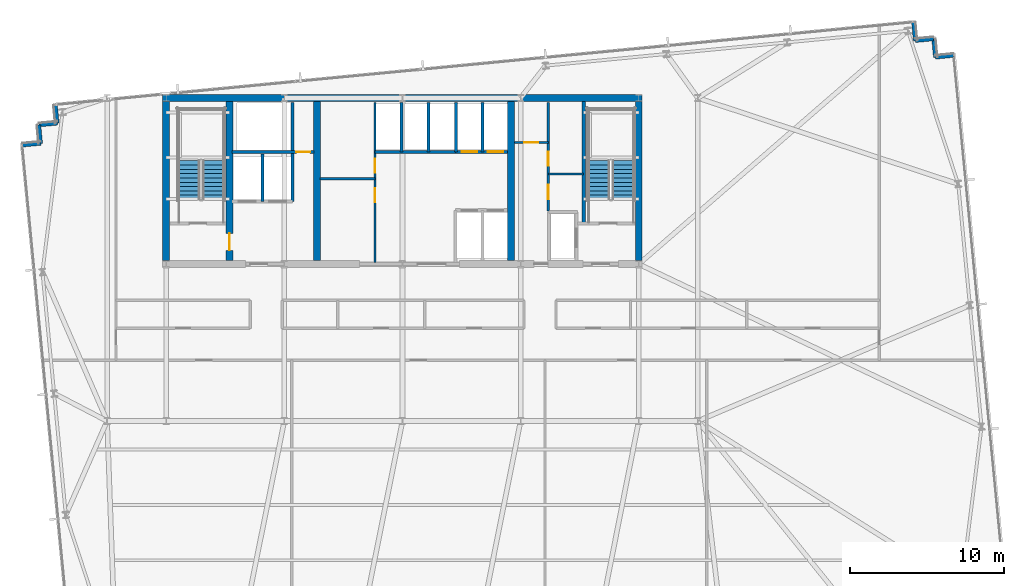
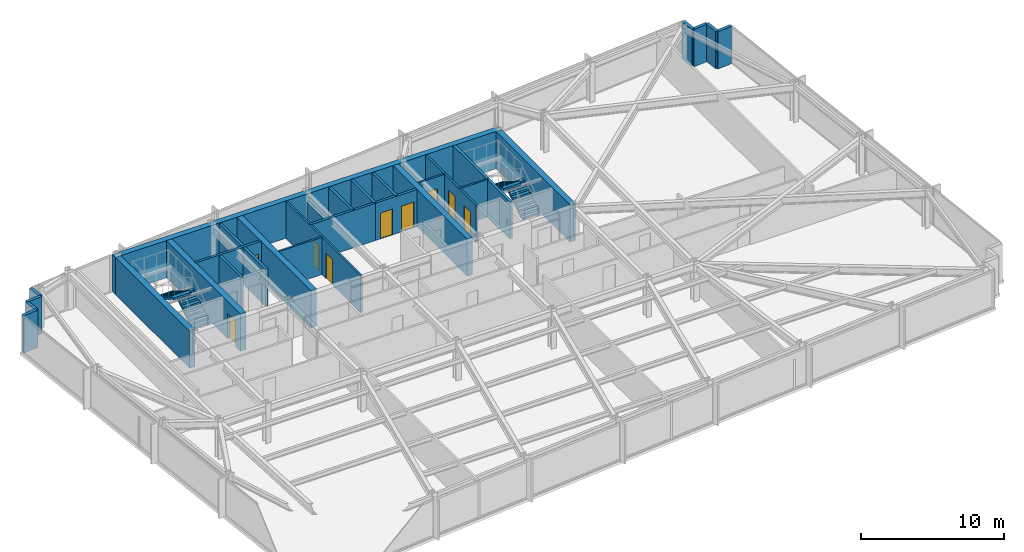
# One storey, part 26 of 32: 29 walls, 9 doors, 4 stair flights, 9 openings, 2 elements without a shape of their own.
"""IFC4 building model written with IfcOpenShell, lengths in metres."""

from ifc_helpers import new_model, si_unit, direction, frame, frame_2d, origin, place, context, subcontext, project, spatial, polyline, rectangle, outline, extrude, material, layer, layer_set, type_object, element, fill, aggregate, save


model = new_model("IFC4")

# Units and contexts
model_context = context("Model", 3, precision=1e-05, world=origin(), true_north=direction((0.0, 1.0)))
body_context = subcontext(model_context, "Body", "Model", "MODEL_VIEW")
ifc_project = project(units=[si_unit("LENGTHUNIT", "METRE"), si_unit("AREAUNIT", "SQUARE_METRE"), si_unit("VOLUMEUNIT", "CUBIC_METRE"), si_unit("PLANEANGLEUNIT", "RADIAN"), si_unit("MASSUNIT", "GRAM", prefix="KILO")], contexts=[model_context])

# Site, building, storey
site_placement = place(None, origin())
site = spatial("IfcSite", under=ifc_project, at=site_placement, CompositionType="ELEMENT")
building_placement = place(site_placement, origin())
building = spatial("IfcBuilding", under=site, at=building_placement, Name="Yelkora Congress Tower", CompositionType="ELEMENT")
storey_placement = place(building_placement, frame((0.0, 0.0, 120.300048828125)))
storey = spatial("IfcBuildingStorey", under=building, at=storey_placement, Name="L32", CompositionType="ELEMENT", Elevation=120.300048828125)

# Walls
ifc_material_1 = material(Name="Concrete C50/60", Category="concrete")
ifc_layer_1 = layer(ifc_material_1, 0.219970703125)
ifc_layer_set_1 = layer_set([ifc_layer_1], Name="Concrete C50/60")
wall_type_1 = type_object("IfcWallType", Name="WALL-CORE-INT-220", PredefinedType="SHEAR", material=ifc_layer_set_1)
wall_1_placement = place(storey_placement, frame((50.179931640625, 38.050048828125, 0.0), z_axis=(0.0, 0.0, 1.0), x_axis=(0.0, 1.0, 0.0)))
element("IfcWall", 1, at=wall_1_placement, inside=storey, type_object=wall_type_1, Name="L32 ST02 West Stair Shear Wall", PredefinedType="SHEAR", context=body_context, shape_type="SweptSolid", body=[
    extrude(rectangle(XDim=7.925048828125, YDim=0.219970703125, at=frame_2d((3.96240234375, 0.0))), origin(), (0.0, 0.0, 1.0), 3.179931640625),
])
ifc_material_2 = material(Name="Concrete C60/75", Category="concrete")
ifc_layer_2 = layer(ifc_material_2, 0.449951171875)
ifc_layer_set_2 = layer_set([ifc_layer_2], Name="Concrete C60/75")
wall_type_2 = type_object("IfcWallType", Name="WALL-CORE-INT-450", PredefinedType="SHEAR", material=ifc_layer_set_2)
wall_2_placement = place(storey_placement, frame((22.81494140625, 46.199951171875, 0.0), z_axis=(0.0, 0.0, 1.0), x_axis=(1.0, 0.0, 0.0)))
element("IfcWall", 2, at=wall_2_placement, inside=storey, type_object=wall_type_2, Name="L32 Rear Core North Shear Wall", PredefinedType="SHEAR", context=body_context, shape_type="SweptSolid", body=[
    extrude(rectangle(XDim=31.170166015625, YDim=0.449951171875, at=frame_2d((15.5849609375, 0.0))), origin(), (0.0, 0.0, 1.0), 3.179931640625),
])
wall_3_placement = place(storey_placement, frame((23.0400390625, 35.625, 0.0), z_axis=(0.0, 0.0, 1.0), x_axis=(0.0, 1.0, 0.0)))
element("IfcWall", 3, at=wall_3_placement, inside=storey, type_object=wall_type_2, Name="L32 Rear Core Cross Shear Wall W", PredefinedType="SHEAR", context=body_context, shape_type="SweptSolid", body=[
    extrude(rectangle(XDim=10.35009765625, YDim=0.449951171875, at=frame_2d((5.175048828125, 0.0))), origin(), (0.0, 0.0, 1.0), 3.179931640625),
])

# Wall, opening, door
wall_4_placement = place(storey_placement, frame((27.14990234375, 35.625, 0.0), z_axis=(0.0, 0.0, 1.0), x_axis=(0.0, 1.0, 0.0)))
wall_4 = element("IfcWall", 4, at=wall_4_placement, inside=storey, type_object=wall_type_2, Name="L32 Rear Core Cross Shear Wall C1", PredefinedType="SHEAR", context=body_context, shape_type="SweptSolid", body=[
    extrude(rectangle(XDim=10.35009765625, YDim=0.449951171875, at=frame_2d((5.175048828125, 0.0))), origin(), (0.0, 0.0, 1.0), 3.179931640625),
])
opening_1_placement = place(wall_4_placement, frame((0.675048828125, 0.0, 0.0)))
opening_1 = element("IfcOpeningElement", 5, at=opening_1_placement, cuts=wall_4, Name="Opening DR-110F9", PredefinedType="OPENING", context=body_context, shape_type="SweptSolid", body=[
    extrude(rectangle(XDim=1.10009765625, YDim=2.14990234375, at=frame_2d((0.550048828125, 1.074951171875))), frame((0.0, 0.23486328125, 0.0), z_axis=(0.0, -1.0, 0.0), x_axis=(1.0, 0.0, 0.0)), (0.0, 0.0, 1.0), 0.469970703125),
])
ifc_material_3 = material(Name="Galvanised steel fire door leaf", Category="steel")
door_type_1 = type_object("IfcDoorType", Name="DOOR-FD90-1100", OperationType="NOTDEFINED", PredefinedType="DOOR", material=ifc_material_3)
door_1_placement = place(opening_1_placement, origin())
door_1 = element("IfcDoor", 6, at=door_1_placement, inside=storey, type_object=door_type_1, Name="L32 Firefighting Stair Transfer Door", OperationType="SINGLE_SWING_LEFT", OverallHeight=2.14990234375, OverallWidth=1.10009765625, PredefinedType="DOOR", context=body_context, shape_type="SweptSolid", body=[
    extrude(rectangle(XDim=1.10009765625, YDim=2.14990234375, at=frame_2d((0.550048828125, 1.074951171875))), frame((0.0, 0.02490234375, 0.0), z_axis=(0.0, -1.0, 0.0), x_axis=(1.0, 0.0, 0.0)), (0.0, 0.0, 1.0), 0.050048828125),
])
fill(opening_1, door_1)

# Walls
for number, where, z_axis, x_axis, name in (
    (7, (32.85009765625, 35.625, 0.0), (0.0, 0.0, 1.0), (0.0, 1.0, 0.0), "L32 Rear Core Cross Shear Wall C2"),
    (8, (45.449951171875, 35.625, 0.0), (0.0, 0.0, 1.0), (0.0, 1.0, 0.0), "L32 Rear Core Cross Shear Wall C3"),
    (9, (53.760009765625, 35.625, 0.0), (0.0, 0.0, 1.0), (0.0, 1.0, 0.0), "L32 Rear Core Cross Shear Wall E"),
):
    element("IfcWall", number, at=place(storey_placement, frame(where, z_axis=z_axis, x_axis=x_axis)), inside=storey, type_object=wall_type_2, Name=name, PredefinedType="SHEAR", context=body_context, shape_type="SweptSolid", body=[
        extrude(rectangle(XDim=10.35009765625, YDim=0.449951171875, at=frame_2d((5.175048828125, 0.0))), origin(), (0.0, 0.0, 1.0), 3.179931640625),
    ])
ifc_material_4 = material(Name="Concrete C40/50", Category="concrete")
ifc_layer_3 = layer(ifc_material_4, 0.239990234375)
ifc_layer_set_3 = layer_set([ifc_layer_3], Name="Concrete C40/50")
wall_type_3 = type_object("IfcWallType", Name="WALL-EXT-LIMESTONE-240", PredefinedType="SOLIDWALL", material=ifc_layer_set_3)
for number, where, z_axis, x_axis, name in (
    (10, (13.69091796875, 43.126708984375, 0.0), (0.0, 0.0, 1.0), (0.995398960025, 0.095817067274, 0.0), "L32 Serrated Corner Limestone Pier 6"),
    (11, (14.885498046875, 43.24169921875, 0.0), (0.0, 0.0, 1.0), (-0.095817067274, 0.995398960025, 0.0), "L32 Serrated Corner Limestone Pier 7"),
):
    element("IfcWall", number, at=place(storey_placement, frame(where, z_axis=z_axis, x_axis=x_axis)), inside=storey, type_object=wall_type_3, Name=name, PredefinedType="SOLIDWALL", context=body_context, shape_type="SweptSolid", body=[
        extrude(rectangle(XDim=1.2001953125, YDim=0.239990234375, at=frame_2d((0.60009765625, 0.0))), origin(), (0.0, 0.0, 1.0), 3.179931640625),
    ])
for number, where, z_axis, x_axis, name in (
    (12, (14.7705078125, 44.436279296875, 0.0), (0.0, 0.0, 1.0), (0.995397091755, 0.095836473879, 0.0), "L32 Serrated Corner Limestone Pier 8"),
    (13, (15.96484375, 44.55126953125, 0.0), (0.0, 0.0, 1.0), (-0.095836473879, 0.995397091755, 0.0), "L32 Serrated Corner Limestone Pier 9"),
):
    element("IfcWall", number, at=place(storey_placement, frame(where, z_axis=z_axis, x_axis=x_axis)), inside=storey, type_object=wall_type_3, Name=name, PredefinedType="SOLIDWALL", context=body_context, shape_type="SweptSolid", body=[
        extrude(rectangle(XDim=1.199951171875, YDim=0.239990234375, at=frame_2d((0.60009765625, 0.0))), origin(), (0.0, 0.0, 1.0), 3.179931640625),
    ])
for number, where, z_axis, x_axis, name in (
    (14, (71.61181640625, 51.114990234375, 0.0), (0.0, 0.0, 1.0), (0.095817067274, -0.995398960025, 0.0), "L32 Serrated Corner Limestone Pier 11"),
    (15, (71.726806640625, 49.92041015625, 0.0), (0.0, 0.0, 1.0), (0.995398960025, 0.095817067274, 0.0), "L32 Serrated Corner Limestone Pier 12"),
    (16, (72.92138671875, 50.035400390625, 0.0), (0.0, 0.0, 1.0), (0.095817067274, -0.995398960025, 0.0), "L32 Serrated Corner Limestone Pier 13"),
    (17, (73.036376953125, 48.8408203125, 0.0), (0.0, 0.0, 1.0), (0.995379537303, 0.096018626938, 0.0), "L32 Serrated Corner Limestone Pier 14"),
):
    element("IfcWall", number, at=place(storey_placement, frame(where, z_axis=z_axis, x_axis=x_axis)), inside=storey, type_object=wall_type_3, Name=name, PredefinedType="SOLIDWALL", context=body_context, shape_type="SweptSolid", body=[
        extrude(rectangle(XDim=1.2001953125, YDim=0.239990234375, at=frame_2d((0.60009765625, 0.0))), origin(), (0.0, 0.0, 1.0), 3.179931640625),
    ])

# Wall, opening, door
ifc_material_5 = material(Name="Acoustic metal-stud gypsum partition", Category="gypsum")
ifc_layer_4 = layer(ifc_material_5, 0.14990234375)
ifc_layer_set_4 = layer_set([ifc_layer_4], Name="Acoustic metal-stud gypsum partition")
wall_type_4 = type_object("IfcWallType", Name="WALL-INT-150-NR", PredefinedType="PARTITIONING", material=ifc_layer_set_4)
wall_5_placement = place(storey_placement, frame((45.679931640625, 43.31005859375, 0.0), z_axis=(0.0, 0.0, 1.0), x_axis=(1.0, 0.0, 0.0)))
wall_5 = element("IfcWall", 18, at=wall_5_placement, inside=storey, type_object=wall_type_4, Name="L32 Partition Wall 24", PredefinedType="PARTITIONING", context=body_context, shape_type="SweptSolid", body=[
    extrude(rectangle(XDim=2.199951171875, YDim=0.14990234375, at=frame_2d((1.10009765625, 0.0))), origin(), (0.0, 0.0, 1.0), 3.179931640625),
])
opening_2_placement = place(wall_5_placement, frame((0.64990234375, 0.0, 0.0)))
opening_2 = element("IfcOpeningElement", 19, at=opening_2_placement, cuts=wall_5, Name="Opening DR-090N", PredefinedType="OPENING", context=body_context, shape_type="SweptSolid", body=[
    extrude(rectangle(XDim=0.89990234375, YDim=2.14990234375, at=frame_2d((0.449951171875, 1.074951171875))), frame((0.0, 0.0849609375, 0.0), z_axis=(0.0, -1.0, 0.0), x_axis=(1.0, 0.0, 0.0)), (0.0, 0.0, 1.0), 0.169921875),
])
ifc_material_6 = material(Name="Moisture-resistant laminate door leaf", Category="wood")
door_type_2 = type_object("IfcDoorType", Name="DOOR-INT-900", OperationType="NOTDEFINED", PredefinedType="DOOR", material=ifc_material_6)
door_2_placement = place(opening_2_placement, origin())
door_2 = element("IfcDoor", 20, at=door_2_placement, inside=storey, type_object=door_type_2, Name="L32 Male WC Door", OperationType="SINGLE_SWING_RIGHT", OverallHeight=2.14990234375, OverallWidth=0.89990234375, PredefinedType="DOOR", context=body_context, shape_type="SweptSolid", body=[
    extrude(rectangle(XDim=0.89990234375, YDim=2.14990234375, at=frame_2d((0.449951171875, 1.074951171875))), frame((0.0, 0.02490234375, 0.0), z_axis=(0.0, -1.0, 0.0), x_axis=(1.0, 0.0, 0.0)), (0.0, 0.0, 1.0), 0.050048828125),
])
fill(opening_2, door_2)

# Wall
wall_6_placement = place(storey_placement, frame((47.8798828125, 41.260009765625, 0.0), z_axis=(0.0, 0.0, 1.0), x_axis=(1.0, 0.0, 0.0)))
element("IfcWall", 21, at=wall_6_placement, inside=storey, type_object=wall_type_4, Name="L32 Partition Wall 25", PredefinedType="PARTITIONING", context=body_context, shape_type="SweptSolid", body=[
    extrude(rectangle(XDim=2.300048828125, YDim=0.14990234375, at=frame_2d((1.14990234375, 0.0))), origin(), (0.0, 0.0, 1.0), 3.179931640625),
])

# Wall, openings, doors
wall_7_placement = place(storey_placement, frame((47.8798828125, 38.85009765625, 0.0), z_axis=(0.0, 0.0, 1.0), x_axis=(0.0, 1.0, 0.0)))
wall_7 = element("IfcWall", 22, at=wall_7_placement, inside=storey, type_object=wall_type_4, Name="L32 Partition Wall 26", PredefinedType="PARTITIONING", context=body_context, shape_type="SweptSolid", body=[
    extrude(rectangle(XDim=7.06982421875, YDim=0.14990234375, at=frame_2d((3.534912109375, 0.0))), origin(), (0.0, 0.0, 1.0), 3.179931640625),
])
opening_3_placement = place(wall_7_placement, frame((0.75, 0.0, 0.0)))
opening_3 = element("IfcOpeningElement", 23, at=opening_3_placement, cuts=wall_7, Name="Opening DR-095N", PredefinedType="OPENING", context=body_context, shape_type="SweptSolid", body=[
    extrude(rectangle(XDim=0.949951171875, YDim=2.14990234375, at=frame_2d((0.47509765625, 1.074951171875))), frame((0.0, 0.0849609375, 0.0), z_axis=(0.0, -1.0, 0.0), x_axis=(1.0, 0.0, 0.0)), (0.0, 0.0, 1.0), 0.169921875),
])
opening_4_placement = place(wall_7_placement, frame((2.949951171875, 0.0, 0.0)))
opening_4 = element("IfcOpeningElement", 24, at=opening_4_placement, cuts=wall_7, Name="Opening DR-090N", PredefinedType="OPENING", context=body_context, shape_type="SweptSolid", body=[
    extrude(rectangle(XDim=0.89990234375, YDim=2.14990234375, at=frame_2d((0.449951171875, 1.074951171875))), frame((0.0, 0.0849609375, 0.0), z_axis=(0.0, -1.0, 0.0), x_axis=(1.0, 0.0, 0.0)), (0.0, 0.0, 1.0), 0.169921875),
])
door_3_placement = place(opening_4_placement, origin())
door_3 = element("IfcDoor", 25, at=door_3_placement, inside=storey, type_object=door_type_2, Name="L32 Female WC Door", OperationType="SINGLE_SWING_RIGHT", OverallHeight=2.14990234375, OverallWidth=0.89990234375, PredefinedType="DOOR", context=body_context, shape_type="SweptSolid", body=[
    extrude(rectangle(XDim=0.89990234375, YDim=2.14990234375, at=frame_2d((0.449951171875, 1.074951171875))), frame((0.0, 0.02490234375, 0.0), z_axis=(0.0, -1.0, 0.0), x_axis=(1.0, 0.0, 0.0)), (0.0, 0.0, 1.0), 0.050048828125),
])
fill(opening_4, door_3)
ifc_material_7 = material(Name="Acoustic laminated timber office door", Category="wood")
door_type_3 = type_object("IfcDoorType", Name="DOOR-INT-950", OperationType="NOTDEFINED", PredefinedType="DOOR", material=ifc_material_7)
door_4_placement = place(opening_3_placement, origin())
door_4 = element("IfcDoor", 26, at=door_4_placement, inside=storey, type_object=door_type_3, Name="L32 Accessible WC Door", OperationType="SINGLE_SWING_LEFT", OverallHeight=2.14990234375, OverallWidth=0.949951171875, PredefinedType="DOOR", context=body_context, shape_type="SweptSolid", body=[
    extrude(rectangle(XDim=0.949951171875, YDim=2.14990234375, at=frame_2d((0.47509765625, 1.074951171875))), frame((0.0, 0.02490234375, 0.0), z_axis=(0.0, -1.0, 0.0), x_axis=(1.0, 0.0, 0.0)), (0.0, 0.0, 1.0), 0.050048828125),
])
fill(opening_3, door_4)

# Wall
ifc_material_8 = material(Name="Twin-stud fire-rated gypsum partition", Category="gypsum")
ifc_layer_5 = layer(ifc_material_8, 0.14990234375)
ifc_layer_set_5 = layer_set([ifc_layer_5], Name="Twin-stud fire-rated gypsum partition")
wall_type_5 = type_object("IfcWallType", Name="WALL-INT-150-R60", PredefinedType="PARTITIONING", material=ifc_layer_set_5)
wall_8_placement = place(storey_placement, frame((33.050048828125, 40.949951171875, 0.0), z_axis=(0.0, 0.0, 1.0), x_axis=(1.0, 0.0, 0.0)))
element("IfcWall", 27, at=wall_8_placement, inside=storey, type_object=wall_type_5, Name="L32 Partition Wall 11", PredefinedType="PARTITIONING", context=body_context, shape_type="SweptSolid", body=[
    extrude(rectangle(XDim=3.570068359375, YDim=0.14990234375, at=frame_2d((1.78515625, 0.0))), origin(), (0.0, 0.0, 1.0), 3.179931640625),
])

# Wall, openings, doors
wall_9_placement = place(storey_placement, frame((36.6201171875, 35.5, 0.0), z_axis=(0.0, 0.0, 1.0), x_axis=(0.0, 1.0, 0.0)))
wall_9 = element("IfcWall", 28, at=wall_9_placement, inside=storey, type_object=wall_type_5, Name="L32 Partition Wall 12", PredefinedType="PARTITIONING", context=body_context, shape_type="SweptSolid", body=[
    extrude(rectangle(XDim=10.419921875, YDim=0.14990234375, at=frame_2d((5.2099609375, 0.0))), origin(), (0.0, 0.0, 1.0), 3.179931640625),
])
opening_5_placement = place(wall_9_placement, frame((3.919921875, 0.0, 0.0)))
opening_5 = element("IfcOpeningElement", 29, at=opening_5_placement, cuts=wall_9, Name="Opening DR-090F6", PredefinedType="OPENING", context=body_context, shape_type="SweptSolid", body=[
    extrude(rectangle(XDim=0.89990234375, YDim=2.14990234375, at=frame_2d((0.449951171875, 1.074951171875))), frame((0.0, 0.0849609375, 0.0), z_axis=(0.0, -1.0, 0.0), x_axis=(1.0, 0.0, 0.0)), (0.0, 0.0, 1.0), 0.169921875),
])
opening_6_placement = place(wall_9_placement, frame((5.85009765625, 0.0, 0.0)))
opening_6 = element("IfcOpeningElement", 30, at=opening_6_placement, cuts=wall_9, Name="Opening DR-090F6", PredefinedType="OPENING", context=body_context, shape_type="SweptSolid", body=[
    extrude(rectangle(XDim=0.89990234375, YDim=2.14990234375, at=frame_2d((0.449951171875, 1.074951171875))), frame((0.0, 0.0849609375, 0.0), z_axis=(0.0, -1.0, 0.0), x_axis=(1.0, 0.0, 0.0)), (0.0, 0.0, 1.0), 0.169921875),
])
ifc_material_9 = material(Name="Painted steel riser fire door leaf", Category="steel")
door_type_4 = type_object("IfcDoorType", Name="DOOR-FD60-900", OperationType="NOTDEFINED", PredefinedType="DOOR", material=ifc_material_9)
door_5_placement = place(opening_5_placement, origin())
door_5 = element("IfcDoor", 31, at=door_5_placement, inside=storey, type_object=door_type_4, Name="L32 Telecom Store Door", OperationType="SINGLE_SWING_LEFT", OverallHeight=2.14990234375, OverallWidth=0.89990234375, PredefinedType="DOOR", context=body_context, shape_type="SweptSolid", body=[
    extrude(rectangle(XDim=0.89990234375, YDim=2.14990234375, at=frame_2d((0.449951171875, 1.074951171875))), frame((0.0, 0.02490234375, 0.0), z_axis=(0.0, -1.0, 0.0), x_axis=(1.0, 0.0, 0.0)), (0.0, 0.0, 1.0), 0.050048828125),
])
fill(opening_5, door_5)
door_6_placement = place(opening_6_placement, origin())
door_6 = element("IfcDoor", 32, at=door_6_placement, inside=storey, type_object=door_type_4, Name="L32 Archive Store Door", OperationType="SINGLE_SWING_RIGHT", OverallHeight=2.14990234375, OverallWidth=0.89990234375, PredefinedType="DOOR", context=body_context, shape_type="SweptSolid", body=[
    extrude(rectangle(XDim=0.89990234375, YDim=2.14990234375, at=frame_2d((0.449951171875, 1.074951171875))), frame((0.0, 0.02490234375, 0.0), z_axis=(0.0, -1.0, 0.0), x_axis=(1.0, 0.0, 0.0)), (0.0, 0.0, 1.0), 0.050048828125),
])
fill(opening_6, door_6)

# Walls
ifc_material_10 = material(Name="Autoclaved aerated concrete blockwork", Category="masonry")
ifc_layer_6 = layer(ifc_material_10, 0.199951171875)
ifc_layer_set_6 = layer_set([ifc_layer_6], Name="Autoclaved aerated concrete blockwork")
wall_type_6 = type_object("IfcWallType", Name="WALL-INT-200-R120", PredefinedType="PARTITIONING", material=ifc_layer_set_6)
wall_10_placement = place(storey_placement, frame((29.300048828125, 39.47998046875, 0.0), z_axis=(0.0, 0.0, 1.0), x_axis=(0.0, 1.0, 0.0)))
element("IfcWall", 33, at=wall_10_placement, inside=storey, type_object=wall_type_6, Name="L32 Partition Wall 4", PredefinedType="PARTITIONING", context=body_context, shape_type="SweptSolid", body=[
    extrude(rectangle(XDim=3.070068359375, YDim=0.199951171875, at=frame_2d((1.53515625, 0.0))), origin(), (0.0, 0.0, 1.0), 3.179931640625),
])
wall_11_placement = place(storey_placement, frame((31.260009765625, 39.47998046875, 0.0), z_axis=(0.0, 0.0, 1.0), x_axis=(0.0, 1.0, 0.0)))
element("IfcWall", 34, at=wall_11_placement, inside=storey, type_object=wall_type_6, Name="L32 Partition Wall 5", PredefinedType="PARTITIONING", context=body_context, shape_type="SweptSolid", body=[
    extrude(rectangle(XDim=6.43994140625, YDim=0.199951171875, at=frame_2d((3.219970703125, 0.0))), origin(), (0.0, 0.0, 1.0), 3.179931640625),
])

# Wall, opening, door
wall_12_placement = place(storey_placement, frame((27.320068359375, 42.679931640625, 0.0), z_axis=(0.0, 0.0, 1.0), x_axis=(1.0, 0.0, 0.0)))
wall_12 = element("IfcWall", 35, at=wall_12_placement, inside=storey, type_object=wall_type_6, Name="L32 Smoke Riser South Wall", PredefinedType="PARTITIONING", context=body_context, shape_type="SweptSolid", body=[
    extrude(rectangle(XDim=5.329833984375, YDim=0.199951171875, at=frame_2d((2.6650390625, 0.0))), origin(), (0.0, 0.0, 1.0), 3.179931640625),
])
opening_7_placement = place(wall_12_placement, frame((4.179931640625, 0.0, 0.0)))
opening_7 = element("IfcOpeningElement", 36, at=opening_7_placement, cuts=wall_12, Name="Opening DR-090F6", PredefinedType="OPENING", context=body_context, shape_type="SweptSolid", body=[
    extrude(rectangle(XDim=0.89990234375, YDim=2.14990234375, at=frame_2d((0.449951171875, 1.074951171875))), frame((0.0, 0.10986328125, 0.0), z_axis=(0.0, -1.0, 0.0), x_axis=(1.0, 0.0, 0.0)), (0.0, 0.0, 1.0), 0.219970703125),
])
door_7_placement = place(opening_7_placement, origin())
door_7 = element("IfcDoor", 37, at=door_7_placement, inside=storey, type_object=door_type_4, Name="L32 Riser Access Door", OperationType="SINGLE_SWING_LEFT", OverallHeight=2.14990234375, OverallWidth=0.89990234375, PredefinedType="DOOR", context=body_context, shape_type="SweptSolid", body=[
    extrude(rectangle(XDim=0.89990234375, YDim=2.14990234375, at=frame_2d((0.449951171875, 1.074951171875))), frame((0.0, 0.02490234375, 0.0), z_axis=(0.0, -1.0, 0.0), x_axis=(1.0, 0.0, 0.0)), (0.0, 0.0, 1.0), 0.050048828125),
])
fill(opening_7, door_7)

# Walls
wall_13_placement = place(storey_placement, frame((36.60009765625, 42.699951171875, 0.0), z_axis=(0.0, 0.0, 1.0), x_axis=(1.0, 0.0, 0.0)))
element("IfcWall", 38, at=wall_13_placement, inside=storey, type_object=wall_type_6, Name="L32 Partition Wall 8", PredefinedType="PARTITIONING", context=body_context, shape_type="SweptSolid", body=[
    extrude(rectangle(XDim=5.25, YDim=0.199951171875, at=frame_2d((2.625, 0.0))), origin(), (0.0, 0.0, 1.0), 3.179931640625),
])
wall_14_placement = place(storey_placement, frame((38.35009765625, 42.699951171875, 0.0), z_axis=(0.0, 0.0, 1.0), x_axis=(0.0, 1.0, 0.0)))
element("IfcWall", 39, at=wall_14_placement, inside=storey, type_object=wall_type_6, Name="L32 Partition Wall 9", PredefinedType="PARTITIONING", context=body_context, shape_type="SweptSolid", body=[
    extrude(rectangle(XDim=3.219970703125, YDim=0.199951171875, at=frame_2d((1.60986328125, 0.0))), origin(), (0.0, 0.0, 1.0), 2.52490234375),
])
wall_15_placement = place(storey_placement, frame((40.10009765625, 42.699951171875, 0.0), z_axis=(0.0, 0.0, 1.0), x_axis=(0.0, 1.0, 0.0)))
element("IfcWall", 40, at=wall_15_placement, inside=storey, type_object=wall_type_6, Name="L32 Partition Wall 10", PredefinedType="PARTITIONING", context=body_context, shape_type="SweptSolid", body=[
    extrude(rectangle(XDim=3.219970703125, YDim=0.199951171875, at=frame_2d((1.60986328125, 0.0))), origin(), (0.0, 0.0, 1.0), 3.179931640625),
])

# Wall, openings, doors
wall_16_placement = place(storey_placement, frame((41.85009765625, 42.699951171875, 0.0), z_axis=(0.0, 0.0, 1.0), x_axis=(1.0, 0.0, 0.0)))
wall_16 = element("IfcWall", 41, at=wall_16_placement, inside=storey, type_object=wall_type_6, Name="L32 Partition Wall 14", PredefinedType="PARTITIONING", context=body_context, shape_type="SweptSolid", body=[
    extrude(rectangle(XDim=3.369873046875, YDim=0.199951171875, at=frame_2d((1.68505859375, 0.0))), origin(), (0.0, 0.0, 1.0), 3.179931640625),
])
opening_8_placement = place(wall_16_placement, frame((0.39990234375, 0.0, 0.0)))
opening_8 = element("IfcOpeningElement", 42, at=opening_8_placement, cuts=wall_16, Name="Opening LD-PS10", PredefinedType="OPENING", context=body_context, shape_type="SweptSolid", body=[
    extrude(rectangle(XDim=1.0, YDim=2.199951171875, at=frame_2d((0.5, 1.10009765625))), frame((0.0, 0.10986328125, 0.0), z_axis=(0.0, -1.0, 0.0), x_axis=(1.0, 0.0, 0.0)), (0.0, 0.0, 1.0), 0.219970703125),
])
opening_9_placement = place(wall_16_placement, frame((2.10009765625, 0.0, 0.0)))
opening_9 = element("IfcOpeningElement", 43, at=opening_9_placement, cuts=wall_16, Name="Opening LD-PS10", PredefinedType="OPENING", context=body_context, shape_type="SweptSolid", body=[
    extrude(rectangle(XDim=1.0, YDim=2.199951171875, at=frame_2d((0.5, 1.10009765625))), frame((0.0, 0.10986328125, 0.0), z_axis=(0.0, -1.0, 0.0), x_axis=(1.0, 0.0, 0.0)), (0.0, 0.0, 1.0), 0.219970703125),
])
ifc_material_11 = material(Name="Champagne stainless steel landing door", Category="steel")
door_type_5 = type_object("IfcDoorType", Name="DOOR-LIFT-PAS-1000", OperationType="DOUBLE_DOOR_SLIDING", PredefinedType="DOOR", material=ifc_material_11)
door_8_placement = place(opening_8_placement, origin())
door_8 = element("IfcDoor", 44, at=door_8_placement, inside=storey, type_object=door_type_5, Name="Lift Landing Door LF-P7 L32", OperationType="DOUBLE_DOOR_SLIDING", OverallHeight=2.199951171875, OverallWidth=1.0, PredefinedType="DOOR", context=body_context, shape_type="SweptSolid", body=[
    extrude(rectangle(XDim=1.0, YDim=2.199951171875, at=frame_2d((0.5, 1.10009765625))), frame((0.0, 0.02490234375, 0.0), z_axis=(0.0, -1.0, 0.0), x_axis=(1.0, 0.0, 0.0)), (0.0, 0.0, 1.0), 0.050048828125),
])
fill(opening_8, door_8)
door_9_placement = place(opening_9_placement, origin())
door_9 = element("IfcDoor", 45, at=door_9_placement, inside=storey, type_object=door_type_5, Name="Lift Landing Door LF-P8 L32", OperationType="DOUBLE_DOOR_SLIDING", OverallHeight=2.199951171875, OverallWidth=1.0, PredefinedType="DOOR", context=body_context, shape_type="SweptSolid", body=[
    extrude(rectangle(XDim=1.0, YDim=2.199951171875, at=frame_2d((0.5, 1.10009765625))), frame((0.0, 0.02490234375, 0.0), z_axis=(0.0, -1.0, 0.0), x_axis=(1.0, 0.0, 0.0)), (0.0, 0.0, 1.0), 0.050048828125),
])
fill(opening_9, door_9)

# Walls
for number, where, z_axis, x_axis, name in (
    (46, (43.60009765625, 42.699951171875, 0.0), (0.0, 0.0, 1.0), (0.0, 1.0, 0.0), "L32 Partition Wall 16"),
    (47, (41.8798828125, 42.699951171875, 0.0), (0.0, 0.0, 1.0), (0.0, 1.0, 0.0), "L32 Partition Wall 18"),
):
    element("IfcWall", number, at=place(storey_placement, frame(where, z_axis=z_axis, x_axis=x_axis)), inside=storey, type_object=wall_type_6, Name=name, PredefinedType="PARTITIONING", context=body_context, shape_type="SweptSolid", body=[
        extrude(rectangle(XDim=3.219970703125, YDim=0.199951171875, at=frame_2d((1.60986328125, 0.0))), origin(), (0.0, 0.0, 1.0), 3.179931640625),
    ])

# Stair, stair flights
stair_type = type_object("IfcStairType", Name="STAIR-HT-1420-R20-170", PredefinedType="HALF_TURN_STAIR", material=ifc_material_4)
stair_1_placement = place(storey_placement, origin())
stair_1 = element("IfcStair", 48, at=stair_1_placement, inside=storey, type_object=stair_type, Name="West Core Protected Exit Stair ST-01 (L32)", PredefinedType="HALF_TURN_STAIR")
stair_flight_type = type_object("IfcStairFlightType", Name="FLIGHT-1420-N10-R170-G280", PredefinedType="STRAIGHT", material=ifc_material_4)
stair_flight_1_placement = place(storey_placement, frame((26.110107421875, 39.60009765625, 0.0), z_axis=(0.0, 0.0, 1.0), x_axis=(0.0, 1.0, 0.0)))
stair_flight_1 = element("IfcStairFlight", 49, at=stair_flight_1_placement, type_object=stair_flight_type, Name="ST-01 L32 Flight 1", NumberOfRisers=10, NumberOfTreads=9, PredefinedType="STRAIGHT", RiserHeight=0.17, TreadLength=0.28, context=body_context, shape_type="SweptSolid", body=[
    extrude(outline(polyline([(0.0, 0.0), (0.0, 0.169921875), (0.280029296875, 0.169921875), (0.280029296875, 0.340087890625), (0.56005859375, 0.340087890625), (0.56005859375, 0.510009765625), (0.840087890625, 0.510009765625), (0.840087890625, 0.679931640625), (1.1201171875, 0.679931640625), (1.1201171875, 0.85009765625), (1.39990234375, 0.85009765625), (1.39990234375, 1.02001953125), (1.679931640625, 1.02001953125), (1.679931640625, 1.18994140625), (1.9599609375, 1.18994140625), (1.9599609375, 1.360107421875), (2.239990234375, 1.360107421875), (2.239990234375, 1.530029296875), (2.52001953125, 1.530029296875), (2.52001953125, 1.699951171875), (2.52001953125, 1.343017578125), (0.30810546875, 0.0), (0.0, 0.0)])), frame((0.0, 0.7099609375, 0.0), z_axis=(0.0, -1.0, 0.0), x_axis=(1.0, 0.0, 0.0)), (0.0, 0.0, 1.0), 1.419921875),
])
stair_flight_2_placement = place(storey_placement, frame((24.530029296875, 42.1201171875, 1.699951171875), z_axis=(0.0, 0.0, 1.0), x_axis=(0.0, -1.0, 0.0)))
stair_flight_2 = element("IfcStairFlight", 50, at=stair_flight_2_placement, type_object=stair_flight_type, Name="ST-01 L32 Flight 2", NumberOfRisers=10, NumberOfTreads=9, PredefinedType="STRAIGHT", RiserHeight=0.17, TreadLength=0.28, context=body_context, shape_type="SweptSolid", body=[
    extrude(outline(polyline([(0.0, 0.0), (0.0, 0.169921875), (0.280029296875, 0.169921875), (0.280029296875, 0.340087890625), (0.56005859375, 0.340087890625), (0.56005859375, 0.510009765625), (0.840087890625, 0.510009765625), (0.840087890625, 0.679931640625), (1.1201171875, 0.679931640625), (1.1201171875, 0.85009765625), (1.39990234375, 0.85009765625), (1.39990234375, 1.02001953125), (1.679931640625, 1.02001953125), (1.679931640625, 1.18994140625), (1.9599609375, 1.18994140625), (1.9599609375, 1.360107421875), (2.239990234375, 1.360107421875), (2.239990234375, 1.530029296875), (2.52001953125, 1.530029296875), (2.52001953125, 1.699951171875), (2.52001953125, 1.343017578125), (0.30810546875, 0.0), (0.0, 0.0)])), frame((0.0, 0.7099609375, 0.0), z_axis=(0.0, -1.0, 0.0), x_axis=(1.0, 0.0, 0.0)), (0.0, 0.0, 1.0), 1.419921875),
])
aggregate(stair_1, [stair_flight_1, stair_flight_2])

stair_2_placement = place(storey_placement, origin())
stair_2 = element("IfcStair", 51, at=stair_2_placement, inside=storey, type_object=stair_type, Name="East Core Protected Exit Stair ST-02 (L32)", PredefinedType="HALF_TURN_STAIR")
stair_flight_3_placement = place(storey_placement, frame((52.75, 39.60009765625, 0.0), z_axis=(0.0, 0.0, 1.0), x_axis=(0.0, 1.0, 0.0)))
stair_flight_3 = element("IfcStairFlight", 52, at=stair_flight_3_placement, type_object=stair_flight_type, Name="ST-02 L32 Flight 1", NumberOfRisers=10, NumberOfTreads=9, PredefinedType="STRAIGHT", RiserHeight=0.17, TreadLength=0.28, context=body_context, shape_type="SweptSolid", body=[
    extrude(outline(polyline([(0.0, 0.0), (0.0, 0.169921875), (0.280029296875, 0.169921875), (0.280029296875, 0.340087890625), (0.56005859375, 0.340087890625), (0.56005859375, 0.510009765625), (0.840087890625, 0.510009765625), (0.840087890625, 0.679931640625), (1.1201171875, 0.679931640625), (1.1201171875, 0.85009765625), (1.39990234375, 0.85009765625), (1.39990234375, 1.02001953125), (1.679931640625, 1.02001953125), (1.679931640625, 1.18994140625), (1.9599609375, 1.18994140625), (1.9599609375, 1.360107421875), (2.239990234375, 1.360107421875), (2.239990234375, 1.530029296875), (2.52001953125, 1.530029296875), (2.52001953125, 1.699951171875), (2.52001953125, 1.343017578125), (0.30810546875, 0.0), (0.0, 0.0)])), frame((0.0, 0.7099609375, 0.0), z_axis=(0.0, -1.0, 0.0), x_axis=(1.0, 0.0, 0.0)), (0.0, 0.0, 1.0), 1.419921875),
])
stair_flight_4_placement = place(storey_placement, frame((51.169921875, 42.1201171875, 1.699951171875), z_axis=(0.0, 0.0, 1.0), x_axis=(0.0, -1.0, 0.0)))
stair_flight_4 = element("IfcStairFlight", 53, at=stair_flight_4_placement, type_object=stair_flight_type, Name="ST-02 L32 Flight 2", NumberOfRisers=10, NumberOfTreads=9, PredefinedType="STRAIGHT", RiserHeight=0.17, TreadLength=0.28, context=body_context, shape_type="SweptSolid", body=[
    extrude(outline(polyline([(0.0, 0.0), (0.0, 0.169921875), (0.280029296875, 0.169921875), (0.280029296875, 0.340087890625), (0.56005859375, 0.340087890625), (0.56005859375, 0.510009765625), (0.840087890625, 0.510009765625), (0.840087890625, 0.679931640625), (1.1201171875, 0.679931640625), (1.1201171875, 0.85009765625), (1.39990234375, 0.85009765625), (1.39990234375, 1.02001953125), (1.679931640625, 1.02001953125), (1.679931640625, 1.18994140625), (1.9599609375, 1.18994140625), (1.9599609375, 1.360107421875), (2.239990234375, 1.360107421875), (2.239990234375, 1.530029296875), (2.52001953125, 1.530029296875), (2.52001953125, 1.699951171875), (2.52001953125, 1.343017578125), (0.30810546875, 0.0), (0.0, 0.0)])), frame((0.0, 0.7099609375, 0.0), z_axis=(0.0, -1.0, 0.0), x_axis=(1.0, 0.0, 0.0)), (0.0, 0.0, 1.0), 1.419921875),
])
aggregate(stair_2, [stair_flight_3, stair_flight_4])

save(model, "model.ifc")
